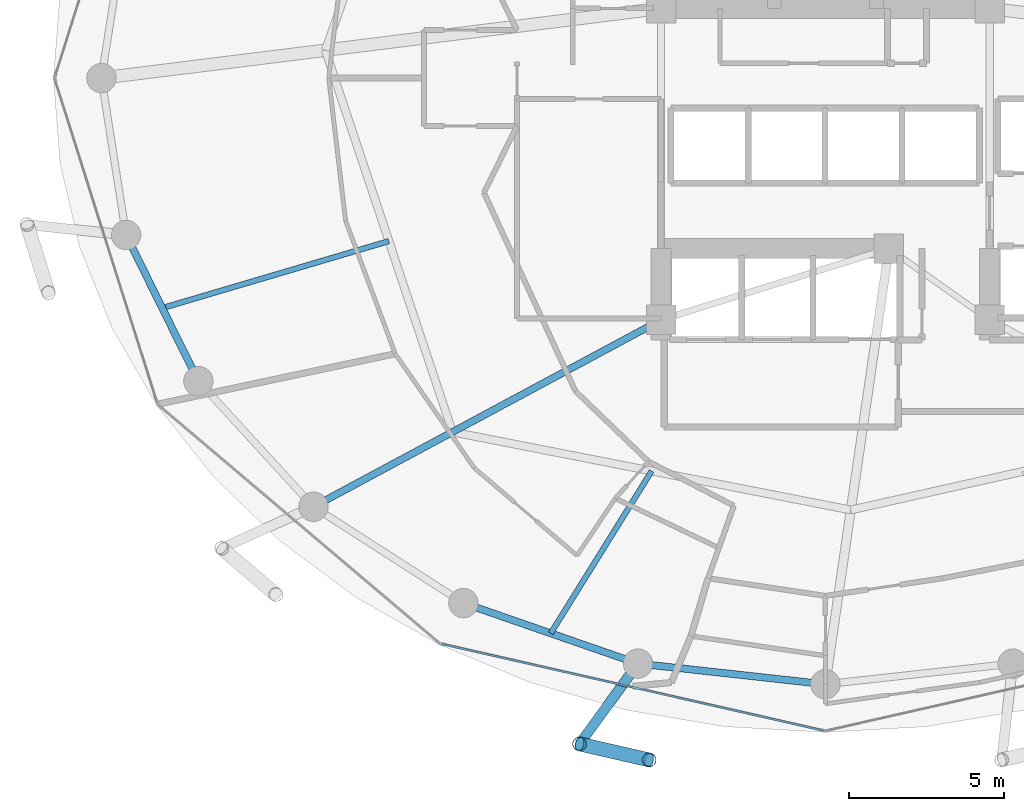
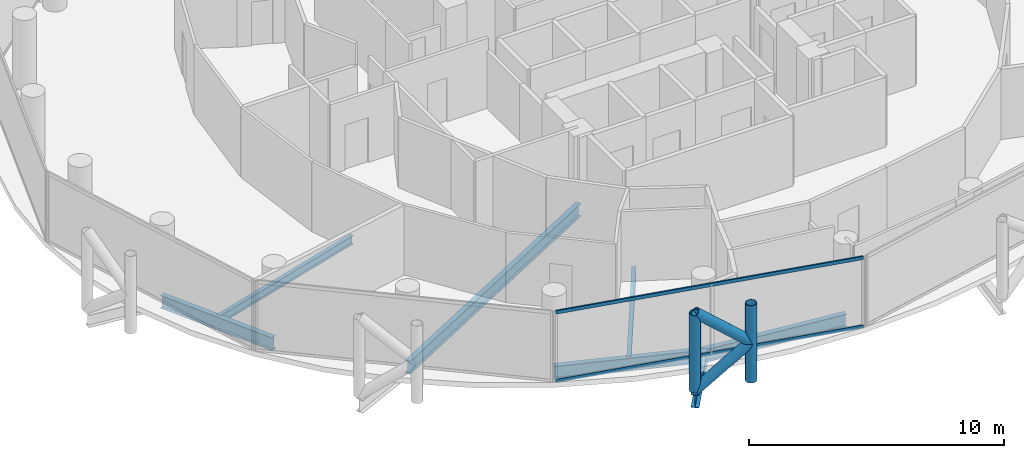
# One storey, part 3 of 26: 7 beams, 6 members, 1 element without a shape of its own.
"""IFC4 building model written with IfcOpenShell, lengths in metres."""

from ifc_helpers import new_model, si_unit, direction, frame, origin, origin_2d, place, context, subcontext, project, spatial, hollow_rectangle, hollow_circle, i_section, extrude, material, layer, layer_set, material_profile, profile_set, type_object, element, aggregate, save


model = new_model("IFC4")

# Units and contexts
model_context = context("Model", 3, precision=1e-05, world=origin(), true_north=direction((0.0, 1.0)))
body_context = subcontext(model_context, "Body", "Model", "MODEL_VIEW")
ifc_project = project(units=[si_unit("LENGTHUNIT", "METRE"), si_unit("AREAUNIT", "SQUARE_METRE"), si_unit("VOLUMEUNIT", "CUBIC_METRE"), si_unit("PLANEANGLEUNIT", "RADIAN"), si_unit("MASSUNIT", "GRAM", prefix="KILO")], contexts=[model_context])

# Site, building, storey
site_placement = place(None, origin())
site = spatial("IfcSite", under=ifc_project, at=site_placement, CompositionType="ELEMENT")
building_placement = place(site_placement, origin())
building = spatial("IfcBuilding", under=site, at=building_placement, Name="Nuhasar Tower", CompositionType="ELEMENT")
storey_placement = place(building_placement, frame((0.0, 0.0, 192.25)))
storey = spatial("IfcBuildingStorey", under=building, at=storey_placement, Name="L47", CompositionType="ELEMENT", Elevation=192.25)

# Beams
ifc_material_1 = material(Name="Steel S355", Category="steel")
ifc_material_profile_1 = material_profile(ifc_material_1, i_section(OverallWidth=0.177978515625, OverallDepth=0.406005859375, WebThickness=0.0078125, FlangeThickness=0.0126953125, at=origin_2d()), Name="W16X40")
ifc_profile_set_1 = profile_set([ifc_material_profile_1], Name="Steel S355")
beam_type_1 = type_object("IfcBeamType", Name="BM-JST-W16X40", PredefinedType="JOIST", material=ifc_profile_set_1)
beam_1_placement = place(storey_placement, frame((33.39697265625, 14.1279296875, -0.452880859375), z_axis=(-0.528139463011, -0.849157645912, 0.0), x_axis=(0.849157645912, -0.528139463011, 0.0)))
element("IfcBeam", 1, at=beam_1_placement, inside=storey, type_object=beam_type_1, Name="L47 Secondary Floor Joist 01", PredefinedType="JOIST", context=body_context, shape_type="SweptSolid", body=[
    extrude(i_section(OverallWidth=0.177978515625, OverallDepth=0.406005859375, WebThickness=0.0078125, FlangeThickness=0.0126953125, at=origin_2d()), origin(), (0.0, 0.0, 1.0), 6.164794921875),
])
beam_2_placement = place(storey_placement, frame((24.922119140625, 21.54296875, -0.452880859375), z_axis=(-0.959013356257, -0.283360869775, 0.0), x_axis=(0.283360869775, -0.959013356257, 0.0)))
element("IfcBeam", 2, at=beam_2_placement, inside=storey, type_object=beam_type_1, Name="L47 Secondary Floor Joist 08", PredefinedType="JOIST", context=body_context, shape_type="SweptSolid", body=[
    extrude(i_section(OverallWidth=0.177978515625, OverallDepth=0.406005859375, WebThickness=0.0078125, FlangeThickness=0.0126953125, at=origin_2d()), origin(), (0.0, 0.0, 1.0), 7.62255859375),
])
ifc_material_profile_2 = material_profile(ifc_material_1, i_section(OverallWidth=0.22900390625, OverallDepth=0.612060546875, WebThickness=0.011962890625, FlangeThickness=0.01953125, at=origin_2d()), Name="W24X84")
ifc_profile_set_2 = profile_set([ifc_material_profile_2], Name="Steel S355")
beam_type_2 = type_object("IfcBeamType", Name="BM-RAD-W24X84", PredefinedType="BEAM", material=ifc_profile_set_2)
beam_3_placement = place(storey_placement, frame((33.699951171875, 19.0, -0.555908203125), z_axis=(-0.880888386928, -0.473324043098, 0.0), x_axis=(0.473324043098, -0.880888386928, 0.0)))
element("IfcBeam", 3, at=beam_3_placement, inside=storey, type_object=beam_type_2, Name="L47 Radial Floor Girder 01", PredefinedType="BEAM", context=body_context, shape_type="SweptSolid", body=[
    extrude(i_section(OverallWidth=0.22900390625, OverallDepth=0.612060546875, WebThickness=0.011962890625, FlangeThickness=0.01953125, at=origin_2d()), origin(), (0.0, 0.0, 1.0), 12.726806640625),
])
ifc_material_profile_3 = material_profile(ifc_material_1, i_section(OverallWidth=0.22998046875, OverallDepth=0.616943359375, WebThickness=0.01318359375, FlangeThickness=0.022216796875, at=origin_2d()), Name="W24X94")
ifc_profile_set_3 = profile_set([ifc_material_profile_3], Name="Steel S355")
beam_type_3 = type_object("IfcBeamType", Name="BM-RING-W24X94", PredefinedType="SPANDREL", material=ifc_profile_set_3)
beam_4_placement = place(storey_placement, frame((16.446044921875, 21.739990234375, -0.55908203125), z_axis=(0.443329327657, -0.896358804966, 0.0), x_axis=(0.896358804966, 0.443329327657, 0.0)))
element("IfcBeam", 4, at=beam_4_placement, inside=storey, type_object=beam_type_3, Name="L47 Perimeter Ring Spandrel 14", PredefinedType="SPANDREL", context=body_context, shape_type="SweptSolid", body=[
    extrude(i_section(OverallWidth=0.22998046875, OverallDepth=0.616943359375, WebThickness=0.01318359375, FlangeThickness=0.022216796875, at=origin_2d()), origin(), (0.0, 0.0, 1.0), 5.26025390625),
])
beam_5_placement = place(storey_placement, frame((27.324951171875, 9.868896484375, -0.55908203125), z_axis=(0.944814057608, -0.327607076458, 0.0), x_axis=(0.327607076458, 0.944814057608, 0.0)))
element("IfcBeam", 5, at=beam_5_placement, inside=storey, type_object=beam_type_3, Name="L47 Perimeter Ring Spandrel 17", PredefinedType="SPANDREL", context=body_context, shape_type="SweptSolid", body=[
    extrude(i_section(OverallWidth=0.22998046875, OverallDepth=0.616943359375, WebThickness=0.01318359375, FlangeThickness=0.022216796875, at=origin_2d()), origin(), (0.0, 0.0, 1.0), 5.9609375),
])
beam_6_placement = place(storey_placement, frame((32.95703125, 7.916015625, -0.55908203125), z_axis=(0.993981289157, -0.109549974015, 0.0), x_axis=(0.109549974015, 0.993981289157, 0.0)))
element("IfcBeam", 6, at=beam_6_placement, inside=storey, type_object=beam_type_3, Name="L47 Perimeter Ring Spandrel 18", PredefinedType="SPANDREL", context=body_context, shape_type="SweptSolid", body=[
    extrude(i_section(OverallWidth=0.22998046875, OverallDepth=0.616943359375, WebThickness=0.01318359375, FlangeThickness=0.022216796875, at=origin_2d()), origin(), (0.0, 0.0, 1.0), 6.07958984375),
])
ifc_material_profile_4 = material_profile(ifc_material_1, i_section(OverallWidth=0.323974609375, OverallDepth=0.611083984375, WebThickness=0.0126953125, FlangeThickness=0.01904296875, at=origin_2d()), Name="W24X104")
ifc_profile_set_4 = profile_set([ifc_material_profile_4], Name="Steel S355")
beam_type_4 = type_object("IfcBeamType", Name="BM-TIE-W24X104", PredefinedType="BEAM", material=ifc_profile_set_4)
beam_7_placement = place(storey_placement, frame((32.95703125, 7.916015625, -0.554931640625), z_axis=(-0.588149050751, -0.808752554309, 0.0), x_axis=(0.808752554309, -0.588149050751, 0.0)))
element("IfcBeam", 7, at=beam_7_placement, inside=storey, type_object=beam_type_4, Name="L47 Exoskeleton Node Tie Beam 09", PredefinedType="BEAM", context=body_context, shape_type="SweptSolid", body=[
    extrude(i_section(OverallWidth=0.323974609375, OverallDepth=0.611083984375, WebThickness=0.0126953125, FlangeThickness=0.01904296875, at=origin_2d()), origin(), (0.0, 0.0, 1.0), 3.205078125),
])

# Curtain wall, members
ifc_material_2 = material(Name="Aluminium 6063-T6", Category="aluminium")
ifc_layer = layer(ifc_material_2, 0.199951171875)
ifc_layer_set = layer_set([ifc_layer], Name="Aluminium 6063-T6")
curtain_wall_type = type_object("IfcCurtainWallType", Name="CW-Z2-HTL", PredefinedType="NOTDEFINED", material=ifc_layer_set)
curtain_wall_placement = place(storey_placement, origin())
curtain_wall = element("IfcCurtainWall", 8, at=curtain_wall_placement, inside=storey, type_object=curtain_wall_type, Name="L47 Unitised Curtain Wall 09", PredefinedType="NOTDEFINED")
ifc_material_profile_5 = material_profile(ifc_material_2, hollow_rectangle(XDim=0.070068359375, YDim=0.159912109375, WallThickness=0.00439453125, at=origin_2d()), Name="CWT-3")
ifc_profile_set_5 = profile_set([ifc_material_profile_5], Name="Aluminium 6063-T6")
member_type_1 = type_object("IfcMemberType", Name="CW-TRN-S3", PredefinedType="USERDEFINED", material=ifc_profile_set_5)
member_1_placement = place(storey_placement, frame((26.63818359375, 8.54638671875, 0.034912109375), z_axis=(0.975187615691, -0.221380022142, 0.0), x_axis=(0.221380022142, 0.975187615691, 0.0)))
member_1 = element("IfcMember", 9, at=member_1_placement, type_object=member_type_1, Name="CW-Z2 transom 1.1", ObjectType="TRANSOM", PredefinedType="USERDEFINED", context=body_context, shape_type="SweptSolid", body=[
    extrude(hollow_rectangle(XDim=0.070068359375, YDim=0.159912109375, WallThickness=0.00439453125, at=origin_2d()), origin(), (0.0, 0.0, 1.0), 12.606201171875),
])
member_2_placement = place(storey_placement, frame((26.63818359375, 8.54638671875, 3.31494140625), z_axis=(0.975187615691, -0.221380022142, 0.0), x_axis=(0.221380022142, 0.975187615691, 0.0)))
member_2 = element("IfcMember", 10, at=member_2_placement, type_object=member_type_1, Name="CW-Z2 transom 1.2", ObjectType="TRANSOM", PredefinedType="USERDEFINED", context=body_context, shape_type="SweptSolid", body=[
    extrude(hollow_rectangle(XDim=0.070068359375, YDim=0.159912109375, WallThickness=0.00439453125, at=origin_2d()), origin(), (0.0, 0.0, 1.0), 12.606201171875),
])
aggregate(curtain_wall, [member_1, member_2])

# Members
ifc_material_3 = material(Name="Steel S460", Category="steel")
ifc_material_profile_6 = material_profile(ifc_material_3, hollow_circle(Radius=0.228515625, WallThickness=0.022216796875, at=origin_2d()), Name="HSS457X22.2")
ifc_profile_set_6 = profile_set([ifc_material_profile_6], Name="Steel S460")
member_type_2 = type_object("IfcMemberType", Name="EXO-BRONZE-457", PredefinedType="BRACE", material=ifc_profile_set_6)
for number, where, z_axis, x_axis, name in (
    (11, (31.072021484375, 5.323974609375, 0.0), (0.0, 0.0, 1.0), (1.0, 0.0, 0.0), "L47 Exoskeleton Chord Column EC-09A"),
    (12, (33.31396484375, 4.81005859375, 0.0), (0.0, 0.0, 1.0), (1.0, 0.0, 0.0), "L47 Exoskeleton Chord Column EC-09B"),
):
    element("IfcMember", number, at=place(storey_placement, frame(where, z_axis=z_axis, x_axis=x_axis)), inside=storey, type_object=member_type_2, Name=name, PredefinedType="BRACE", context=body_context, shape_type="SweptSolid", body=[
        extrude(hollow_circle(Radius=0.228515625, WallThickness=0.022216796875, at=origin_2d()), origin(), (0.0, 0.0, 1.0), 3.699951171875),
    ])
member_3_placement = place(storey_placement, frame((31.072021484375, 5.323974609375, 0.0), z_axis=(0.759510488094, -0.174101010284, 0.626763637022), x_axis=(0.223432882746, 0.974719316987, 0.0)))
element("IfcMember", 13, at=member_3_placement, inside=storey, type_object=member_type_2, Name="L47 Bronze Diagrid Brace W1-09", PredefinedType="BRACE", context=body_context, shape_type="SweptSolid", body=[
    extrude(hollow_circle(Radius=0.228515625, WallThickness=0.022216796875, at=origin_2d()), origin(), (0.0, 0.0, 1.0), 2.951904296875),
])
member_4_placement = place(storey_placement, frame((33.31396484375, 4.81005859375, 1.85009765625), z_axis=(-0.759549860492, 0.174110035537, 0.626713415327), x_axis=(-0.223432882746, -0.974719316987, 0.0)))
element("IfcMember", 14, at=member_4_placement, inside=storey, type_object=member_type_2, Name="L47 Bronze Diagrid Brace W2-09", PredefinedType="BRACE", context=body_context, shape_type="SweptSolid", body=[
    extrude(hollow_circle(Radius=0.228515625, WallThickness=0.022216796875, at=origin_2d()), origin(), (0.0, 0.0, 1.0), 2.95166015625),
])

save(model, "model.ifc")
